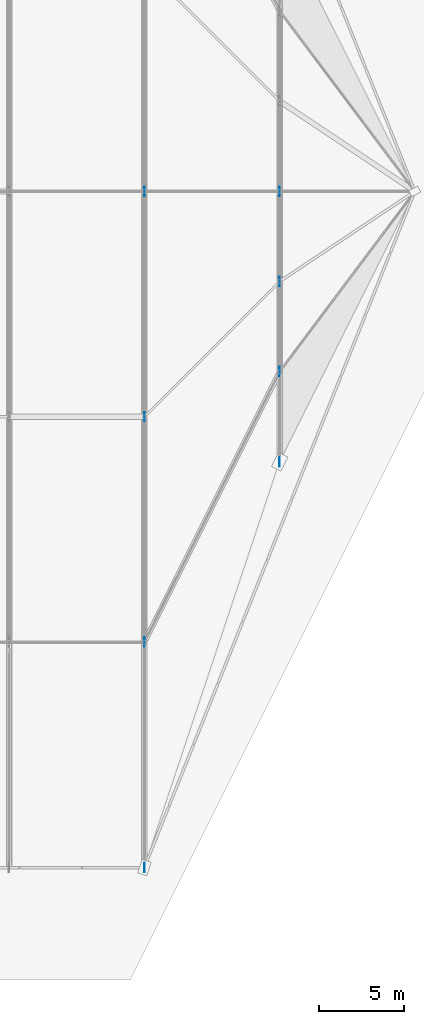
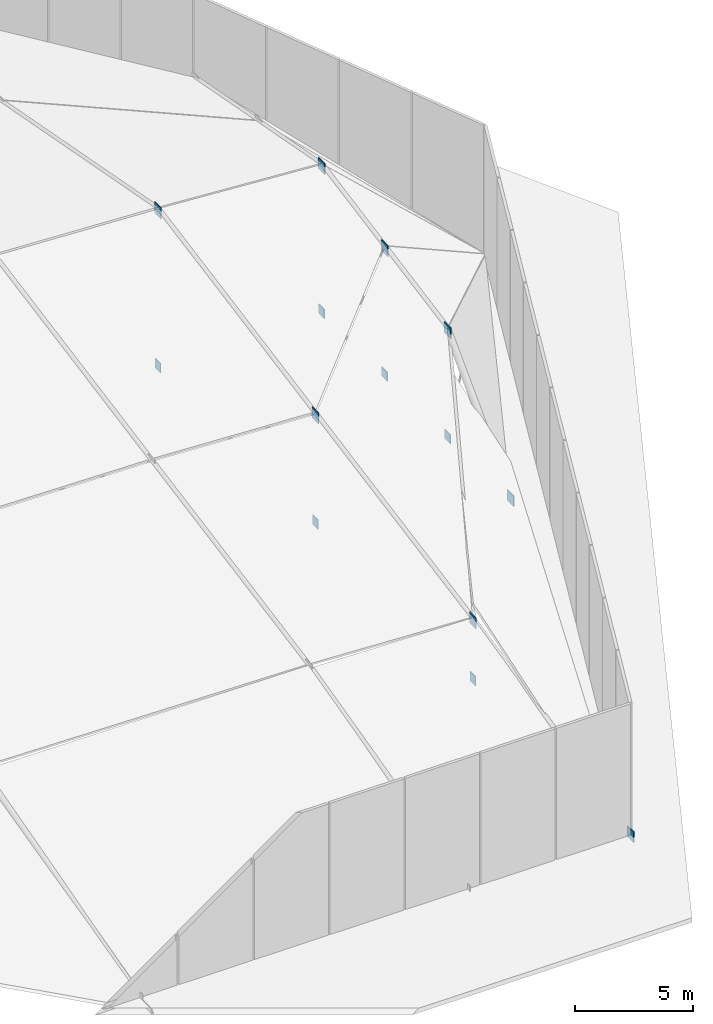
# One storey, part 26 of 30: 14 plates.
"""IFC4 building model written with IfcOpenShell, lengths in metres."""

from ifc_helpers import new_model, si_unit, direction, frame, origin, origin_2d, place, context, subcontext, project, spatial, rectangle, extrude, material, layer, layer_set, type_object, element, save


model = new_model("IFC4")

# Units and contexts
model_context = context("Model", 3, precision=1e-05, world=origin(), true_north=direction((0.0, 1.0)))
body_context = subcontext(model_context, "Body", "Model", "MODEL_VIEW")
ifc_project = project(units=[si_unit("LENGTHUNIT", "METRE"), si_unit("AREAUNIT", "SQUARE_METRE"), si_unit("VOLUMEUNIT", "CUBIC_METRE"), si_unit("PLANEANGLEUNIT", "RADIAN"), si_unit("MASSUNIT", "GRAM", prefix="KILO")], contexts=[model_context])

# Site, building, storey
site_placement = place(None, origin())
site = spatial("IfcSite", under=ifc_project, at=site_placement, CompositionType="ELEMENT")
building_placement = place(site_placement, origin())
building = spatial("IfcBuilding", under=site, at=building_placement, Name="Tazarka Park Arena", CompositionType="ELEMENT")
storey_placement = place(building_placement, frame((0.0, 0.0, 29.39990234375)))
storey = spatial("IfcBuildingStorey", under=building, at=storey_placement, Name="Roof", CompositionType="ELEMENT", Elevation=29.39990234375)

# Plates
ifc_material_1 = material(Name="Steel S460", Category="steel")
ifc_layer_1 = layer(ifc_material_1, 0.0439453125, Name="Steel S460")
ifc_layer_set_1 = layer_set([ifc_layer_1], Name="Steel S460")
plate_type_1 = type_object("IfcPlateType", Name="PLT-PL-07", PredefinedType="SHEET", material=ifc_layer_set_1)
for number, where, z_axis, x_axis, name in (
    (1, (112.0, 24.0, -0.280029296875), (0.0, 0.0, 1.0), (1.0, 0.0, 0.0), "ANP-06-0"),
    (2, (112.0, 37.333251953125, 2.67041015625), (0.0, 0.0, 1.0), (1.0, 0.0, 0.0), "ANP-06-1"),
    (3, (112.0, 50.666748046875, 5.184814453125), (0.0, 0.0, 1.0), (1.0, 0.0, 0.0), "ANP-06-2"),
    (4, (112.0, 64.0, 7.698974609375), (0.0, 0.0, 1.0), (1.0, 0.0, 0.0), "ANP-06-3"),
    (5, (120.0, 48.0, -0.280029296875), (0.0, 0.0, 1.0), (1.0, 0.0, 0.0), "ANP-07-0"),
    (6, (120.0, 53.333251953125, 5.165771484375), (0.0, 0.0, 1.0), (1.0, 0.0, 0.0), "ANP-07-1"),
    (7, (120.0, 58.666748046875, 6.17138671875), (0.0, 0.0, 1.0), (1.0, 0.0, 0.0), "ANP-07-2"),
    (8, (120.0, 64.0, 7.17724609375), (0.0, 0.0, 1.0), (1.0, 0.0, 0.0), "ANP-07-3"),
):
    element("IfcPlate", number, at=place(storey_placement, frame(where, z_axis=z_axis, x_axis=x_axis)), inside=storey, type_object=plate_type_1, Name=name, PredefinedType="SHEET", context=body_context, shape_type="SweptSolid", body=[
        extrude(rectangle(XDim=0.0400390625, YDim=0.56005859375, at=origin_2d()), origin(), (0.0, 0.0, 1.0), 0.56005859375),
    ])
ifc_material_2 = material(Name="Steel S460", Category="steel")
ifc_layer_2 = layer(ifc_material_2, 0.035888671875, Name="Steel S460")
ifc_layer_set_2 = layer_set([ifc_layer_2], Name="Steel S460")
plate_type_2 = type_object("IfcPlateType", Name="PLT-PL-15", PredefinedType="USERDEFINED", material=ifc_layer_set_2)
for number, where, z_axis, x_axis, name in (
    (9, (112.0, 37.333251953125, -0.289794921875), (0.0, 0.0, 1.0), (1.0, 0.0, 0.0), "ANB-06-1"),
    (10, (112.0, 50.666748046875, -0.289794921875), (0.0, 0.0, 1.0), (1.0, 0.0, 0.0), "ANB-06-2"),
    (11, (112.0, 64.0, -0.289794921875), (0.0, 0.0, 1.0), (1.0, 0.0, 0.0), "ANB-06-3"),
    (12, (120.0, 53.333251953125, -0.289794921875), (0.0, 0.0, 1.0), (1.0, 0.0, 0.0), "ANB-07-1"),
    (13, (120.0, 58.666748046875, -0.289794921875), (0.0, 0.0, 1.0), (1.0, 0.0, 0.0), "ANB-07-2"),
    (14, (120.0, 64.0, -0.289794921875), (0.0, 0.0, 1.0), (1.0, 0.0, 0.0), "ANB-07-3"),
):
    element("IfcPlate", number, at=place(storey_placement, frame(where, z_axis=z_axis, x_axis=x_axis)), inside=storey, type_object=plate_type_2, Name=name, ObjectType="STIFFENER", PredefinedType="USERDEFINED", context=body_context, shape_type="SweptSolid", body=[
        extrude(rectangle(XDim=0.035888671875, YDim=0.47998046875, at=origin_2d()), origin(), (0.0, 0.0, 1.0), 0.47998046875),
    ])

save(model, "model.ifc")
